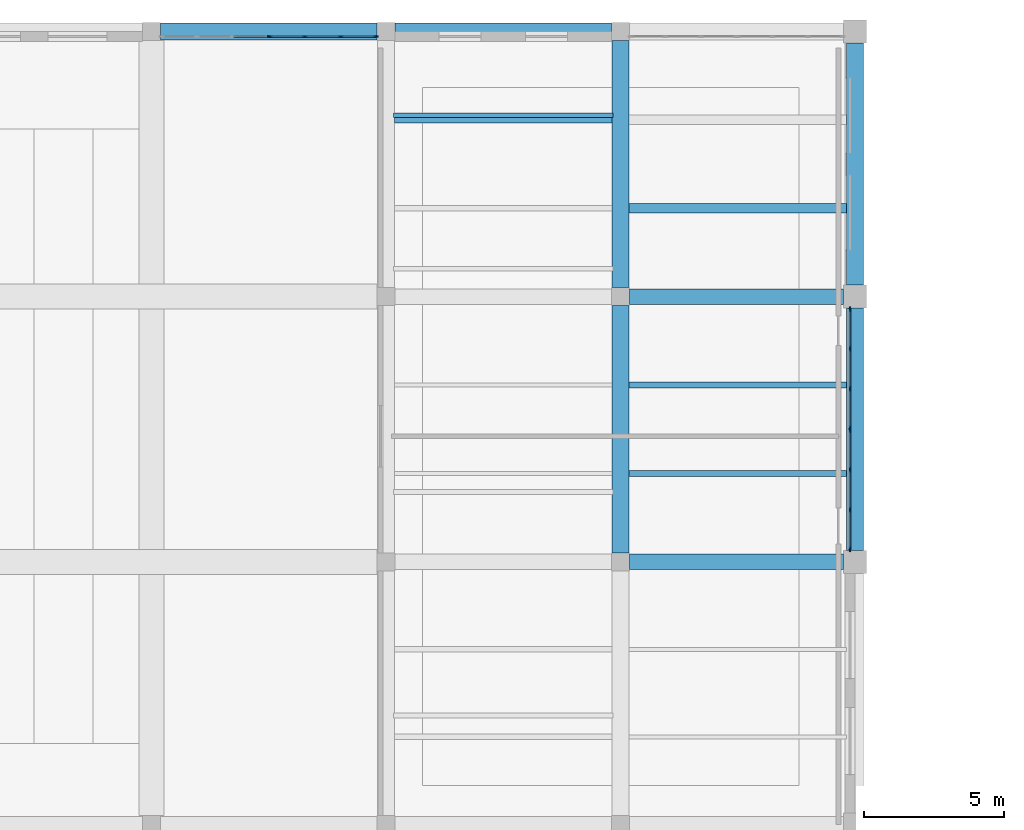
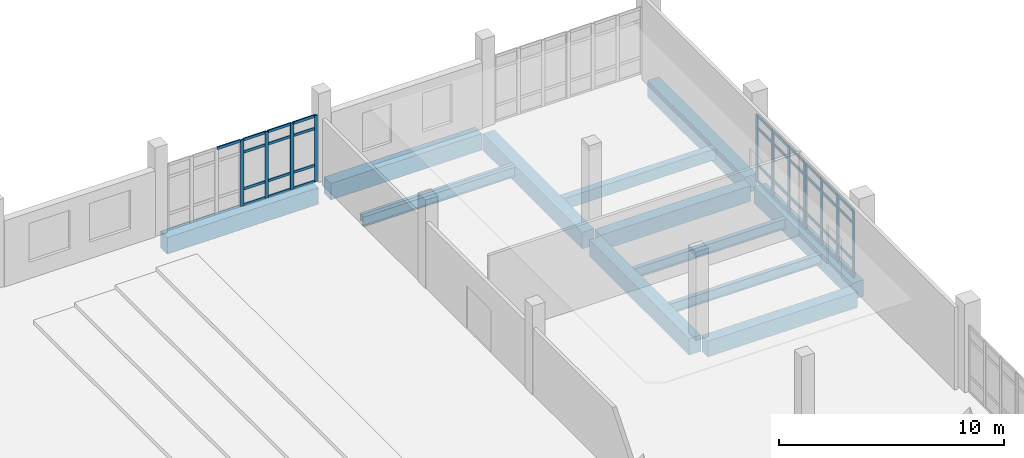
# One storey, part 31 of 90: 49 members, 13 beams, 4 elements without a shape of their own.
"""IFC4 building model written with IfcOpenShell, lengths in metres."""

import ifcopenshell
import ifcopenshell.guid

model = None  # the IFC model being written
_history = None  # IfcOwnerHistory: only IFC2X3 demands one
_inside = {}  # id of a spatial element -> (the spatial element, [elements in it])
_under = {}  # id of a project, library or spatial element -> (it, [spatial elements below it])
_declared = {}  # id of a project -> (the project, [libraries it declares])
_typed = {}  # id of a type object -> (the type object, [elements of that type])
_made_of = {}  # id of a material, layer set ... -> (it, [elements and type objects made of it])


def new_model(schema):
    """Start an empty IFC model of exactly this schema.

    Asked for "IFC4X3", IfcOpenShell would pick the latest addendum, in which some entities
    have other attributes; the version numbers below select the first issue.
    IFC2X3 requires an IfcOwnerHistory on every rooted entity: one is made here for all.
    """
    global model, _history
    if schema == "IFC4X3":
        model = ifcopenshell.file(schema_version=(4, 3, 0, 0))
    else:
        model = ifcopenshell.file(schema=schema)
    _inside.clear()
    _under.clear()
    _declared.clear()
    _typed.clear()
    _made_of.clear()
    _history = None
    if model.schema == "IFC2X3":
        org = make("IfcOrganization", Name="unknown")
        user = make(
            "IfcPersonAndOrganization",
            ThePerson=make("IfcPerson", FamilyName="unknown"),
            TheOrganization=org,
        )
        app = make(
            "IfcApplication",
            ApplicationDeveloper=org,
            Version="unknown",
            ApplicationFullName="unknown",
            ApplicationIdentifier="unknown",
        )
        _history = make(
            "IfcOwnerHistory",
            OwningUser=user,
            OwningApplication=app,
            ChangeAction="ADDED",
            CreationDate=0,
        )
    return model


def make(cls, **values):
    """One entity of the class cls with the attributes given. An attribute that is None is left unset."""
    return model.create_entity(
        cls, **{name: value for name, value in values.items() if value is not None}
    )


def rooted(cls, **values):
    """An entity with a GlobalId (a new one), such as an element, a storey or a relation."""
    return make(cls, GlobalId=ifcopenshell.guid.new(), OwnerHistory=_history, **values)


def si_unit(unit_type, name, prefix=None):
    """IfcSIUnit, for example si_unit("LENGTHUNIT", "METRE", prefix="MILLI")."""
    return make("IfcSIUnit", UnitType=unit_type, Prefix=prefix, Name=name)


def assignment(units):
    """IfcUnitAssignment: the units of a project."""
    return None if units is None else make("IfcUnitAssignment", Units=units)


def point(xyz):
    """IfcCartesianPoint."""
    return None if xyz is None else make("IfcCartesianPoint", Coordinates=xyz)


def direction(xyz):
    """IfcDirection."""
    return None if xyz is None else make("IfcDirection", DirectionRatios=xyz)


def frame(location, z_axis=None, x_axis=None):
    """IfcAxis2Placement3D, a coordinate frame: its origin and axes. An axis left out is left unset."""
    return make(
        "IfcAxis2Placement3D",
        Location=point(location),
        Axis=direction(z_axis),
        RefDirection=direction(x_axis),
    )


def frame_2d(location, x_axis=None):
    """IfcAxis2Placement2D, a coordinate frame in the plane: its origin and x axis."""
    return make(
        "IfcAxis2Placement2D", Location=point(location), RefDirection=direction(x_axis)
    )


def origin():
    """The frame at (0, 0, 0) with its axes left unset."""
    return frame((0.0, 0.0, 0.0))


def origin_2d():
    """The frame at (0, 0) in the plane with its x axis left unset."""
    return frame_2d((0.0, 0.0))


def place(relative_to, where):
    """IfcLocalPlacement: puts the frame where relative to a parent placement (None: the world)."""
    return make(
        "IfcLocalPlacement", PlacementRelTo=relative_to, RelativePlacement=where
    )


def context(
    kind, dimensions, precision=None, world=None, true_north=None, identifier=None
):
    """IfcGeometricRepresentationContext, for example the 3D "Model" context."""
    return make(
        "IfcGeometricRepresentationContext",
        ContextIdentifier=identifier,
        ContextType=kind,
        CoordinateSpaceDimension=dimensions,
        Precision=precision,
        WorldCoordinateSystem=world,
        TrueNorth=true_north,
    )


def subcontext(parent, identifier, kind, view, scale=None):
    """IfcGeometricRepresentationSubContext, for example "Body" below "Model"."""
    return make(
        "IfcGeometricRepresentationSubContext",
        ContextIdentifier=identifier,
        ContextType=kind,
        ParentContext=parent,
        TargetScale=scale,
        TargetView=view,
    )


def project(units=None, contexts=None):
    """IfcProject with its units and contexts."""
    return rooted(
        "IfcProject",
        Name="project",
        RepresentationContexts=contexts,
        UnitsInContext=assignment(units),
    )


def spatial(cls, under=None, at=None, **own):
    """A site, building, storey or space (cls), placed at a placement, below another one or the project."""
    s = rooted(cls, ObjectPlacement=at, **own)
    if under is not None:
        _under.setdefault(under.id(), (under, []))[1].append(s)
    return s


def profile(cls, at=None, kind="AREA", **sizes):
    """A parametric profile (cls). Its sizes go by their IFC names, for example OverallWidth=200.0."""
    return make(cls, ProfileType=kind, Position=at, **sizes)


def rectangle(**sizes):
    """IfcRectangleProfileDef."""
    return profile("IfcRectangleProfileDef", **sizes)


def i_section(**sizes):
    """IfcIShapeProfileDef."""
    return profile("IfcIShapeProfileDef", **sizes)


def extrude(swept, where, along, depth):
    """IfcExtrudedAreaSolid: the profile swept, set in the frame where, extruded along a direction by depth."""
    return make(
        "IfcExtrudedAreaSolid",
        SweptArea=swept,
        Position=where,
        ExtrudedDirection=direction(along),
        Depth=depth,
    )


def shape(context_of_items, identifier, shape_type, items):
    """IfcShapeRepresentation: the items that make up one representation, for example the "Body"."""
    return make(
        "IfcShapeRepresentation",
        ContextOfItems=context_of_items,
        RepresentationIdentifier=identifier,
        RepresentationType=shape_type,
        Items=items,
    )


def material(Name=None, Category=None):
    """IfcMaterial."""
    return make("IfcMaterial", Name=Name, Category=Category)


def layer(
    of_material, thickness, ventilated=None, Name=None, Category=None, Priority=None
):
    """IfcMaterialLayer: one layer of a wall or slab, of a material (None: an air gap)."""
    return make(
        "IfcMaterialLayer",
        Material=of_material,
        LayerThickness=thickness,
        IsVentilated=ventilated,
        Name=Name,
        Category=Category,
        Priority=Priority,
    )


def layer_set(layers, Name=None):
    """IfcMaterialLayerSet."""
    return make("IfcMaterialLayerSet", MaterialLayers=layers, LayerSetName=Name)


def material_profile(
    of_material, cross_section, Name=None, Category=None, Priority=None
):
    """IfcMaterialProfile: a cross section and its material."""
    return make(
        "IfcMaterialProfile",
        Name=Name,
        Material=of_material,
        Profile=cross_section,
        Priority=Priority,
        Category=Category,
    )


def profile_set(profiles, Name=None, composite=None):
    """IfcMaterialProfileSet."""
    return make(
        "IfcMaterialProfileSet",
        Name=Name,
        MaterialProfiles=profiles,
        CompositeProfile=composite,
    )


def made_of(thing, what):
    """Note that an element or type object is made of a material, layer set ...; save() writes the relation."""
    if what is not None:
        _made_of.setdefault(what.id(), (what, []))[1].append(thing)
    return thing


def type_object(cls, material=None, **own):
    """A type object (cls), such as IfcWallType, which elements share."""
    return made_of(rooted(cls, **own), material)


def element(
    cls,
    number,
    at=None,
    inside=None,
    cuts=None,
    type_object=None,
    material=None,
    context=None,
    identifier="Body",
    shape_type=None,
    held_by="IfcProductDefinitionShape",
    body=None,
    shapes=None,
    **own,
):
    """One element of the class cls, such as IfcWall. Its Tag is "e" and its number.

    at: its placement. inside: the storey or other place that contains it. cuts: it is an
    opening in that element (IfcRelVoidsElement). A single representation is given by context,
    identifier, shape_type and body (its items); several are given by shapes. held_by: the class
    of the entity that holds the representations. save() writes the other relations.
    """
    e = rooted(cls, Tag="e%d" % number, ObjectPlacement=at, **own)
    if body is not None:
        shapes = [shape(context, identifier, shape_type, body)]
    if shapes is not None:
        e.Representation = make(held_by, Representations=shapes)
    if inside is not None:
        _inside.setdefault(inside.id(), (inside, []))[1].append(e)
    if cuts is not None:
        rooted(
            "IfcRelVoidsElement", RelatingBuildingElement=cuts, RelatedOpeningElement=e
        )
    if type_object is not None:
        _typed.setdefault(type_object.id(), (type_object, []))[1].append(e)
    return made_of(e, material)


def aggregate(whole, parts):
    """IfcRelAggregates: a whole, such as a stair, and the parts it consists of."""
    return rooted("IfcRelAggregates", RelatingObject=whole, RelatedObjects=parts)


def save(model, path):
    """Write the relations noted so far, then the file.

    IfcRelAggregates (storeys below a building ...), IfcRelContainedInSpatialStructure (elements
    in a storey), IfcRelDefinesByType, IfcRelAssociatesMaterial and IfcRelDeclares: one each for
    every whole, place, type object, material and project.
    """
    for whole, parts in _under.values():
        aggregate(whole, parts)
    for where, things in _inside.values():
        rooted(
            "IfcRelContainedInSpatialStructure",
            RelatedElements=things,
            RelatingStructure=where,
        )
    for kind, things in _typed.values():
        rooted("IfcRelDefinesByType", RelatedObjects=things, RelatingType=kind)
    for what, things in _made_of.values():
        rooted("IfcRelAssociatesMaterial", RelatedObjects=things, RelatingMaterial=what)
    for by, libraries in _declared.values():
        rooted("IfcRelDeclares", RelatingContext=by, RelatedDefinitions=libraries)
    model.write(path)


model = new_model("IFC4")

# Units and contexts
model_context = context("Model", 3, precision=1e-05, world=origin(), true_north=direction((0.0, 1.0)))
body_context = subcontext(model_context, "Body", "Model", "MODEL_VIEW")
ifc_project = project(units=[si_unit("LENGTHUNIT", "METRE"), si_unit("AREAUNIT", "SQUARE_METRE"), si_unit("VOLUMEUNIT", "CUBIC_METRE"), si_unit("PLANEANGLEUNIT", "RADIAN"), si_unit("MASSUNIT", "GRAM", prefix="KILO")], contexts=[model_context])

# Site, building, storey
site_placement = place(None, origin())
site = spatial("IfcSite", under=ifc_project, at=site_placement, CompositionType="ELEMENT")
building_placement = place(site_placement, origin())
building = spatial("IfcBuilding", under=site, at=building_placement, Name="Kelarvand Opera House", CompositionType="ELEMENT")
storey_placement = place(building_placement, frame((0.0, 0.0, 5.39990234375)))
storey = spatial("IfcBuildingStorey", under=building, at=storey_placement, Name="L01", CompositionType="ELEMENT", Elevation=5.39990234375)

# Curtain wall, members
ifc_material_1 = material(Name="Thermally broken aluminium and low-E glazing", Category="aluminium")
ifc_layer_1 = layer(ifc_material_1, 0.179931640625, Name="Thermally broken aluminium and low-E glazing", Category="aluminium")
ifc_layer_set_1 = layer_set([ifc_layer_1], Name="Thermally broken aluminium and low-E glazing")
curtain_wall_type_1 = type_object("IfcCurtainWallType", Name="Unitised Low-E Curtain Wall 4326x3600 Mod 1350 CWF-15", PredefinedType="USERDEFINED", material=ifc_layer_set_1)
curtain_wall_1_placement = place(storey_placement, origin())
curtain_wall_1 = element("IfcCurtainWall", 1, at=curtain_wall_1_placement, inside=storey, type_object=curtain_wall_type_1, Name="V3 L01 Curtain Wall CWF-15 (47)", ObjectType="UNITISED CURTAIN WALL", PredefinedType="USERDEFINED")
ifc_material_2 = material(Name="Thermally broken anodised aluminium", Category="aluminium")
ifc_material_profile_1 = material_profile(ifc_material_2, rectangle(XDim=0.06494140625, YDim=0.179931640625, at=origin_2d()), Name="ALU MULLION 65x180", Category="aluminium")
ifc_profile_set_1 = profile_set([ifc_material_profile_1], Name="Thermally broken anodised aluminium")
member_type_1 = type_object("IfcMemberType", Name="Curtain Wall Mullion 65x180 Aluminium", PredefinedType="MULLION", material=ifc_profile_set_1)
member_1_placement = place(storey_placement, frame((50.820068359375, 115.047607421875, 0.0), z_axis=(0.0, 0.0, 1.0), x_axis=(1.0, 0.0, 0.0)))
member_1 = element("IfcMember", 2, at=member_1_placement, type_object=member_type_1, Name="CWF-15 mullion 1", PredefinedType="MULLION", context=body_context, shape_type="SweptSolid", body=[
    extrude(rectangle(XDim=0.06494140625, YDim=0.179931640625, at=origin_2d()), origin(), (0.0, 0.0, 1.0), 3.60009765625),
])
member_2_placement = place(storey_placement, frame((50.820068359375, 113.637939453125, 0.0), z_axis=(0.0, 0.0, 1.0), x_axis=(1.0, 0.0, 0.0)))
member_2 = element("IfcMember", 3, at=member_2_placement, type_object=member_type_1, Name="CWF-15 mullion 2", PredefinedType="MULLION", context=body_context, shape_type="SweptSolid", body=[
    extrude(rectangle(XDim=0.06494140625, YDim=0.179931640625, at=origin_2d()), origin(), (0.0, 0.0, 1.0), 3.60009765625),
])
member_3_placement = place(storey_placement, frame((50.820068359375, 112.196044921875, 0.0), z_axis=(0.0, 0.0, 1.0), x_axis=(1.0, 0.0, 0.0)))
member_3 = element("IfcMember", 4, at=member_3_placement, type_object=member_type_1, Name="CWF-15 mullion 3", PredefinedType="MULLION", context=body_context, shape_type="SweptSolid", body=[
    extrude(rectangle(XDim=0.06494140625, YDim=0.179931640625, at=origin_2d()), origin(), (0.0, 0.0, 1.0), 3.60009765625),
])
member_4_placement = place(storey_placement, frame((50.820068359375, 110.78662109375, 0.0), z_axis=(0.0, 0.0, 1.0), x_axis=(1.0, 0.0, 0.0)))
member_4 = element("IfcMember", 5, at=member_4_placement, type_object=member_type_1, Name="CWF-15 mullion 4", PredefinedType="MULLION", context=body_context, shape_type="SweptSolid", body=[
    extrude(rectangle(XDim=0.06494140625, YDim=0.179931640625, at=origin_2d()), origin(), (0.0, 0.0, 1.0), 3.60009765625),
])

curtain_wall_2_placement = place(storey_placement, origin())
curtain_wall_2 = element("IfcCurtainWall", 6, at=curtain_wall_2_placement, inside=storey, type_object=curtain_wall_type_1, Name="V3 L01 Curtain Wall CWF-15 (48)", ObjectType="UNITISED CURTAIN WALL", PredefinedType="USERDEFINED")
member_5_placement = place(storey_placement, frame((50.820068359375, 110.717529296875, 0.0), z_axis=(0.0, 0.0, 1.0), x_axis=(1.0, 0.0, 0.0)))
member_5 = element("IfcMember", 7, at=member_5_placement, type_object=member_type_1, Name="CWF-15 mullion 1", PredefinedType="MULLION", context=body_context, shape_type="SweptSolid", body=[
    extrude(rectangle(XDim=0.06494140625, YDim=0.179931640625, at=origin_2d()), origin(), (0.0, 0.0, 1.0), 3.60009765625),
])
member_6_placement = place(storey_placement, frame((50.820068359375, 109.306640625, 0.0), z_axis=(0.0, 0.0, 1.0), x_axis=(1.0, 0.0, 0.0)))
member_6 = element("IfcMember", 8, at=member_6_placement, type_object=member_type_1, Name="CWF-15 mullion 2", PredefinedType="MULLION", context=body_context, shape_type="SweptSolid", body=[
    extrude(rectangle(XDim=0.06494140625, YDim=0.179931640625, at=origin_2d()), origin(), (0.0, 0.0, 1.0), 3.60009765625),
])
member_7_placement = place(storey_placement, frame((50.820068359375, 107.86328125, 0.0), z_axis=(0.0, 0.0, 1.0), x_axis=(1.0, 0.0, 0.0)))
member_7 = element("IfcMember", 9, at=member_7_placement, type_object=member_type_1, Name="CWF-15 mullion 3", PredefinedType="MULLION", context=body_context, shape_type="SweptSolid", body=[
    extrude(rectangle(XDim=0.06494140625, YDim=0.179931640625, at=origin_2d()), origin(), (0.0, 0.0, 1.0), 3.60009765625),
])
member_8_placement = place(storey_placement, frame((50.820068359375, 106.452392578125, 0.0), z_axis=(0.0, 0.0, 1.0), x_axis=(1.0, 0.0, 0.0)))
member_8 = element("IfcMember", 10, at=member_8_placement, type_object=member_type_1, Name="CWF-15 mullion 4", PredefinedType="MULLION", context=body_context, shape_type="SweptSolid", body=[
    extrude(rectangle(XDim=0.06494140625, YDim=0.179931640625, at=origin_2d()), origin(), (0.0, 0.0, 1.0), 3.60009765625),
])

ifc_layer_2 = layer(ifc_material_1, 0.179931640625, Name="Thermally broken aluminium and low-E glazing", Category="aluminium")
ifc_layer_set_2 = layer_set([ifc_layer_2], Name="Thermally broken aluminium and low-E glazing")
curtain_wall_type_2 = type_object("IfcCurtainWallType", Name="Unitised Low-E Curtain Wall 3861x3600 Mod 1350 CWF-17", PredefinedType="USERDEFINED", material=ifc_layer_set_2)
curtain_wall_3_placement = place(storey_placement, origin())
curtain_wall_3 = element("IfcCurtainWall", 11, at=curtain_wall_3_placement, inside=storey, type_object=curtain_wall_type_2, Name="V3 L01 Curtain Wall CWF-17 (54)", ObjectType="UNITISED CURTAIN WALL", PredefinedType="USERDEFINED")
member_9_placement = place(storey_placement, frame((30.032470703125, 124.820068359375, 0.0), z_axis=(0.0, 0.0, 1.0), x_axis=(0.0, 1.0, 0.0)))
member_9 = element("IfcMember", 12, at=member_9_placement, type_object=member_type_1, Name="CWF-17 mullion 1", PredefinedType="MULLION", context=body_context, shape_type="SweptSolid", body=[
    extrude(rectangle(XDim=0.06494140625, YDim=0.179931640625, at=origin_2d()), origin(), (0.0, 0.0, 1.0), 3.60009765625),
])
member_10_placement = place(storey_placement, frame((31.288330078125, 124.820068359375, 0.0), z_axis=(0.0, 0.0, 1.0), x_axis=(0.0, 1.0, 0.0)))
member_10 = element("IfcMember", 13, at=member_10_placement, type_object=member_type_1, Name="CWF-17 mullion 2", PredefinedType="MULLION", context=body_context, shape_type="SweptSolid", body=[
    extrude(rectangle(XDim=0.06494140625, YDim=0.179931640625, at=origin_2d()), origin(), (0.0, 0.0, 1.0), 3.60009765625),
])
member_11_placement = place(storey_placement, frame((32.57666015625, 124.820068359375, 0.0), z_axis=(0.0, 0.0, 1.0), x_axis=(0.0, 1.0, 0.0)))
member_11 = element("IfcMember", 14, at=member_11_placement, type_object=member_type_1, Name="CWF-17 mullion 3", PredefinedType="MULLION", context=body_context, shape_type="SweptSolid", body=[
    extrude(rectangle(XDim=0.06494140625, YDim=0.179931640625, at=origin_2d()), origin(), (0.0, 0.0, 1.0), 3.60009765625),
])
member_12_placement = place(storey_placement, frame((33.83251953125, 124.820068359375, 0.0), z_axis=(0.0, 0.0, 1.0), x_axis=(0.0, 1.0, 0.0)))
member_12 = element("IfcMember", 15, at=member_12_placement, type_object=member_type_1, Name="CWF-17 mullion 4", PredefinedType="MULLION", context=body_context, shape_type="SweptSolid", body=[
    extrude(rectangle(XDim=0.06494140625, YDim=0.179931640625, at=origin_2d()), origin(), (0.0, 0.0, 1.0), 3.60009765625),
])

# Member
ifc_material_profile_2 = material_profile(ifc_material_2, rectangle(XDim=0.06494140625, YDim=0.139892578125, at=origin_2d()), Name="ALU TRANSOM 65x140", Category="aluminium")
ifc_profile_set_2 = profile_set([ifc_material_profile_2], Name="Thermally broken anodised aluminium")
member_type_2 = type_object("IfcMemberType", Name="Curtain Wall Transom 65x140 Aluminium", PredefinedType="USERDEFINED", material=ifc_profile_set_2)
member_13_placement = place(storey_placement, frame((50.820068359375, 115.014892578125, 0.03271484375), z_axis=(0.0, -1.0, 0.0), x_axis=(1.0, 0.0, 0.0)))
member_13 = element("IfcMember", 16, at=member_13_placement, type_object=member_type_2, Name="CWF-15 transom 1.1", ObjectType="TRANSOM", PredefinedType="USERDEFINED", context=body_context, shape_type="SweptSolid", body=[
    extrude(rectangle(XDim=0.06494140625, YDim=0.139892578125, at=origin_2d()), origin(), (0.0, 0.0, 1.0), 1.344482421875),
])

member_14_placement = place(storey_placement, frame((50.820068359375, 115.014892578125, 0.900146484375), z_axis=(0.0, -1.0, 0.0), x_axis=(1.0, 0.0, 0.0)))
member_14 = element("IfcMember", 17, at=member_14_placement, type_object=member_type_2, Name="CWF-15 transom 1.2", ObjectType="TRANSOM", PredefinedType="USERDEFINED", context=body_context, shape_type="SweptSolid", body=[
    extrude(rectangle(XDim=0.06494140625, YDim=0.139892578125, at=origin_2d()), origin(), (0.0, 0.0, 1.0), 1.344482421875),
])

member_15_placement = place(storey_placement, frame((50.820068359375, 115.014892578125, 2.900146484375), z_axis=(0.0, -1.0, 0.0), x_axis=(1.0, 0.0, 0.0)))
member_15 = element("IfcMember", 18, at=member_15_placement, type_object=member_type_2, Name="CWF-15 transom 1.3", ObjectType="TRANSOM", PredefinedType="USERDEFINED", context=body_context, shape_type="SweptSolid", body=[
    extrude(rectangle(XDim=0.06494140625, YDim=0.139892578125, at=origin_2d()), origin(), (0.0, 0.0, 1.0), 1.344482421875),
])

member_16_placement = place(storey_placement, frame((50.820068359375, 115.014892578125, 3.567626953125), z_axis=(0.0, -1.0, 0.0), x_axis=(1.0, 0.0, 0.0)))
member_16 = element("IfcMember", 19, at=member_16_placement, type_object=member_type_2, Name="CWF-15 transom 1.4", ObjectType="TRANSOM", PredefinedType="USERDEFINED", context=body_context, shape_type="SweptSolid", body=[
    extrude(rectangle(XDim=0.06494140625, YDim=0.139892578125, at=origin_2d()), origin(), (0.0, 0.0, 1.0), 1.344482421875),
])

member_17_placement = place(storey_placement, frame((50.820068359375, 113.60546875, 0.03271484375), z_axis=(0.0, -1.0, 0.0), x_axis=(1.0, 0.0, 0.0)))
member_17 = element("IfcMember", 20, at=member_17_placement, type_object=member_type_2, Name="CWF-15 transom 2.1", ObjectType="TRANSOM", PredefinedType="USERDEFINED", context=body_context, shape_type="SweptSolid", body=[
    extrude(rectangle(XDim=0.06494140625, YDim=0.139892578125, at=origin_2d()), origin(), (0.0, 0.0, 1.0), 1.376953125),
])

member_18_placement = place(storey_placement, frame((50.820068359375, 113.60546875, 0.900146484375), z_axis=(0.0, -1.0, 0.0), x_axis=(1.0, 0.0, 0.0)))
member_18 = element("IfcMember", 21, at=member_18_placement, type_object=member_type_2, Name="CWF-15 transom 2.2", ObjectType="TRANSOM", PredefinedType="USERDEFINED", context=body_context, shape_type="SweptSolid", body=[
    extrude(rectangle(XDim=0.06494140625, YDim=0.139892578125, at=origin_2d()), origin(), (0.0, 0.0, 1.0), 1.376953125),
])

member_19_placement = place(storey_placement, frame((50.820068359375, 113.60546875, 2.900146484375), z_axis=(0.0, -1.0, 0.0), x_axis=(1.0, 0.0, 0.0)))
member_19 = element("IfcMember", 22, at=member_19_placement, type_object=member_type_2, Name="CWF-15 transom 2.3", ObjectType="TRANSOM", PredefinedType="USERDEFINED", context=body_context, shape_type="SweptSolid", body=[
    extrude(rectangle(XDim=0.06494140625, YDim=0.139892578125, at=origin_2d()), origin(), (0.0, 0.0, 1.0), 1.376953125),
])

member_20_placement = place(storey_placement, frame((50.820068359375, 113.60546875, 3.567626953125), z_axis=(0.0, -1.0, 0.0), x_axis=(1.0, 0.0, 0.0)))
member_20 = element("IfcMember", 23, at=member_20_placement, type_object=member_type_2, Name="CWF-15 transom 2.4", ObjectType="TRANSOM", PredefinedType="USERDEFINED", context=body_context, shape_type="SweptSolid", body=[
    extrude(rectangle(XDim=0.06494140625, YDim=0.139892578125, at=origin_2d()), origin(), (0.0, 0.0, 1.0), 1.376953125),
])

member_21_placement = place(storey_placement, frame((50.820068359375, 112.16357421875, 0.03271484375), z_axis=(0.0, -1.0, 0.0), x_axis=(1.0, 0.0, 0.0)))
member_21 = element("IfcMember", 24, at=member_21_placement, type_object=member_type_2, Name="CWF-15 transom 3.1", ObjectType="TRANSOM", PredefinedType="USERDEFINED", context=body_context, shape_type="SweptSolid", body=[
    extrude(rectangle(XDim=0.06494140625, YDim=0.139892578125, at=origin_2d()), origin(), (0.0, 0.0, 1.0), 1.344482421875),
])

member_22_placement = place(storey_placement, frame((50.820068359375, 112.16357421875, 0.900146484375), z_axis=(0.0, -1.0, 0.0), x_axis=(1.0, 0.0, 0.0)))
member_22 = element("IfcMember", 25, at=member_22_placement, type_object=member_type_2, Name="CWF-15 transom 3.2", ObjectType="TRANSOM", PredefinedType="USERDEFINED", context=body_context, shape_type="SweptSolid", body=[
    extrude(rectangle(XDim=0.06494140625, YDim=0.139892578125, at=origin_2d()), origin(), (0.0, 0.0, 1.0), 1.344482421875),
])

member_23_placement = place(storey_placement, frame((50.820068359375, 112.16357421875, 2.900146484375), z_axis=(0.0, -1.0, 0.0), x_axis=(1.0, 0.0, 0.0)))
member_23 = element("IfcMember", 26, at=member_23_placement, type_object=member_type_2, Name="CWF-15 transom 3.3", ObjectType="TRANSOM", PredefinedType="USERDEFINED", context=body_context, shape_type="SweptSolid", body=[
    extrude(rectangle(XDim=0.06494140625, YDim=0.139892578125, at=origin_2d()), origin(), (0.0, 0.0, 1.0), 1.344482421875),
])

member_24_placement = place(storey_placement, frame((50.820068359375, 112.16357421875, 3.567626953125), z_axis=(0.0, -1.0, 0.0), x_axis=(1.0, 0.0, 0.0)))
member_24 = element("IfcMember", 27, at=member_24_placement, type_object=member_type_2, Name="CWF-15 transom 3.4", ObjectType="TRANSOM", PredefinedType="USERDEFINED", context=body_context, shape_type="SweptSolid", body=[
    extrude(rectangle(XDim=0.06494140625, YDim=0.139892578125, at=origin_2d()), origin(), (0.0, 0.0, 1.0), 1.344482421875),
])

aggregate(curtain_wall_1, [member_1, member_2, member_3, member_4, member_13, member_14, member_15, member_16, member_17, member_18, member_19, member_20, member_21, member_22, member_23, member_24])

member_25_placement = place(storey_placement, frame((50.820068359375, 110.68505859375, 0.03271484375), z_axis=(0.0, -1.0, 0.0), x_axis=(1.0, 0.0, 0.0)))
member_25 = element("IfcMember", 28, at=member_25_placement, type_object=member_type_2, Name="CWF-15 transom 1.1", ObjectType="TRANSOM", PredefinedType="USERDEFINED", context=body_context, shape_type="SweptSolid", body=[
    extrude(rectangle(XDim=0.06494140625, YDim=0.139892578125, at=origin_2d()), origin(), (0.0, 0.0, 1.0), 1.345947265625),
])

member_26_placement = place(storey_placement, frame((50.820068359375, 110.68505859375, 0.900146484375), z_axis=(0.0, -1.0, 0.0), x_axis=(1.0, 0.0, 0.0)))
member_26 = element("IfcMember", 29, at=member_26_placement, type_object=member_type_2, Name="CWF-15 transom 1.2", ObjectType="TRANSOM", PredefinedType="USERDEFINED", context=body_context, shape_type="SweptSolid", body=[
    extrude(rectangle(XDim=0.06494140625, YDim=0.139892578125, at=origin_2d()), origin(), (0.0, 0.0, 1.0), 1.345947265625),
])

member_27_placement = place(storey_placement, frame((50.820068359375, 110.68505859375, 2.900146484375), z_axis=(0.0, -1.0, 0.0), x_axis=(1.0, 0.0, 0.0)))
member_27 = element("IfcMember", 30, at=member_27_placement, type_object=member_type_2, Name="CWF-15 transom 1.3", ObjectType="TRANSOM", PredefinedType="USERDEFINED", context=body_context, shape_type="SweptSolid", body=[
    extrude(rectangle(XDim=0.06494140625, YDim=0.139892578125, at=origin_2d()), origin(), (0.0, 0.0, 1.0), 1.345947265625),
])

member_28_placement = place(storey_placement, frame((50.820068359375, 110.68505859375, 3.567626953125), z_axis=(0.0, -1.0, 0.0), x_axis=(1.0, 0.0, 0.0)))
member_28 = element("IfcMember", 31, at=member_28_placement, type_object=member_type_2, Name="CWF-15 transom 1.4", ObjectType="TRANSOM", PredefinedType="USERDEFINED", context=body_context, shape_type="SweptSolid", body=[
    extrude(rectangle(XDim=0.06494140625, YDim=0.139892578125, at=origin_2d()), origin(), (0.0, 0.0, 1.0), 1.345947265625),
])

member_29_placement = place(storey_placement, frame((50.820068359375, 109.274169921875, 0.03271484375), z_axis=(0.0, -1.0, 0.0), x_axis=(1.0, 0.0, 0.0)))
member_29 = element("IfcMember", 32, at=member_29_placement, type_object=member_type_2, Name="CWF-15 transom 2.1", ObjectType="TRANSOM", PredefinedType="USERDEFINED", context=body_context, shape_type="SweptSolid", body=[
    extrude(rectangle(XDim=0.06494140625, YDim=0.139892578125, at=origin_2d()), origin(), (0.0, 0.0, 1.0), 1.37841796875),
])

member_30_placement = place(storey_placement, frame((50.820068359375, 109.274169921875, 0.900146484375), z_axis=(0.0, -1.0, 0.0), x_axis=(1.0, 0.0, 0.0)))
member_30 = element("IfcMember", 33, at=member_30_placement, type_object=member_type_2, Name="CWF-15 transom 2.2", ObjectType="TRANSOM", PredefinedType="USERDEFINED", context=body_context, shape_type="SweptSolid", body=[
    extrude(rectangle(XDim=0.06494140625, YDim=0.139892578125, at=origin_2d()), origin(), (0.0, 0.0, 1.0), 1.37841796875),
])

member_31_placement = place(storey_placement, frame((50.820068359375, 109.274169921875, 2.900146484375), z_axis=(0.0, -1.0, 0.0), x_axis=(1.0, 0.0, 0.0)))
member_31 = element("IfcMember", 34, at=member_31_placement, type_object=member_type_2, Name="CWF-15 transom 2.3", ObjectType="TRANSOM", PredefinedType="USERDEFINED", context=body_context, shape_type="SweptSolid", body=[
    extrude(rectangle(XDim=0.06494140625, YDim=0.139892578125, at=origin_2d()), origin(), (0.0, 0.0, 1.0), 1.37841796875),
])

member_32_placement = place(storey_placement, frame((50.820068359375, 109.274169921875, 3.567626953125), z_axis=(0.0, -1.0, 0.0), x_axis=(1.0, 0.0, 0.0)))
member_32 = element("IfcMember", 35, at=member_32_placement, type_object=member_type_2, Name="CWF-15 transom 2.4", ObjectType="TRANSOM", PredefinedType="USERDEFINED", context=body_context, shape_type="SweptSolid", body=[
    extrude(rectangle(XDim=0.06494140625, YDim=0.139892578125, at=origin_2d()), origin(), (0.0, 0.0, 1.0), 1.37841796875),
])

member_33_placement = place(storey_placement, frame((50.820068359375, 107.830810546875, 0.03271484375), z_axis=(0.0, -1.0, 0.0), x_axis=(1.0, 0.0, 0.0)))
member_33 = element("IfcMember", 36, at=member_33_placement, type_object=member_type_2, Name="CWF-15 transom 3.1", ObjectType="TRANSOM", PredefinedType="USERDEFINED", context=body_context, shape_type="SweptSolid", body=[
    extrude(rectangle(XDim=0.06494140625, YDim=0.139892578125, at=origin_2d()), origin(), (0.0, 0.0, 1.0), 1.345703125),
])

member_34_placement = place(storey_placement, frame((50.820068359375, 107.830810546875, 0.900146484375), z_axis=(0.0, -1.0, 0.0), x_axis=(1.0, 0.0, 0.0)))
member_34 = element("IfcMember", 37, at=member_34_placement, type_object=member_type_2, Name="CWF-15 transom 3.2", ObjectType="TRANSOM", PredefinedType="USERDEFINED", context=body_context, shape_type="SweptSolid", body=[
    extrude(rectangle(XDim=0.06494140625, YDim=0.139892578125, at=origin_2d()), origin(), (0.0, 0.0, 1.0), 1.345703125),
])

member_35_placement = place(storey_placement, frame((50.820068359375, 107.830810546875, 2.900146484375), z_axis=(0.0, -1.0, 0.0), x_axis=(1.0, 0.0, 0.0)))
member_35 = element("IfcMember", 38, at=member_35_placement, type_object=member_type_2, Name="CWF-15 transom 3.3", ObjectType="TRANSOM", PredefinedType="USERDEFINED", context=body_context, shape_type="SweptSolid", body=[
    extrude(rectangle(XDim=0.06494140625, YDim=0.139892578125, at=origin_2d()), origin(), (0.0, 0.0, 1.0), 1.345703125),
])

member_36_placement = place(storey_placement, frame((50.820068359375, 107.830810546875, 3.567626953125), z_axis=(0.0, -1.0, 0.0), x_axis=(1.0, 0.0, 0.0)))
member_36 = element("IfcMember", 39, at=member_36_placement, type_object=member_type_2, Name="CWF-15 transom 3.4", ObjectType="TRANSOM", PredefinedType="USERDEFINED", context=body_context, shape_type="SweptSolid", body=[
    extrude(rectangle(XDim=0.06494140625, YDim=0.139892578125, at=origin_2d()), origin(), (0.0, 0.0, 1.0), 1.345703125),
])

aggregate(curtain_wall_2, [member_5, member_6, member_7, member_8, member_25, member_26, member_27, member_28, member_29, member_30, member_31, member_32, member_33, member_34, member_35, member_36])

# Curtain wall, member
curtain_wall_4_placement = place(storey_placement, origin())
curtain_wall_4 = element("IfcCurtainWall", 40, at=curtain_wall_4_placement, inside=storey, type_object=curtain_wall_type_2, Name="V3 L01 Curtain Wall CWF-17 (53)", ObjectType="UNITISED CURTAIN WALL", PredefinedType="USERDEFINED")
member_37_placement = place(storey_placement, frame((28.741455078125, 124.820068359375, 3.567626953125), z_axis=(1.0, 0.0, 0.0), x_axis=(0.0, 1.0, 0.0)))
member_37 = element("IfcMember", 41, at=member_37_placement, type_object=member_type_2, Name="CWF-17 transom 3.4", ObjectType="TRANSOM", PredefinedType="USERDEFINED", context=body_context, shape_type="SweptSolid", body=[
    extrude(rectangle(XDim=0.06494140625, YDim=0.139892578125, at=origin_2d()), origin(), (0.0, 0.0, 1.0), 1.189453125),
])
aggregate(curtain_wall_4, [member_37])

# Member
member_38_placement = place(storey_placement, frame((30.06494140625, 124.820068359375, 0.03271484375), z_axis=(1.0, 0.0, 0.0), x_axis=(0.0, 1.0, 0.0)))
member_38 = element("IfcMember", 42, at=member_38_placement, type_object=member_type_2, Name="CWF-17 transom 1.1", ObjectType="TRANSOM", PredefinedType="USERDEFINED", context=body_context, shape_type="SweptSolid", body=[
    extrude(rectangle(XDim=0.06494140625, YDim=0.139892578125, at=origin_2d()), origin(), (0.0, 0.0, 1.0), 1.19091796875),
])

member_39_placement = place(storey_placement, frame((30.06494140625, 124.820068359375, 0.900146484375), z_axis=(1.0, 0.0, 0.0), x_axis=(0.0, 1.0, 0.0)))
member_39 = element("IfcMember", 43, at=member_39_placement, type_object=member_type_2, Name="CWF-17 transom 1.2", ObjectType="TRANSOM", PredefinedType="USERDEFINED", context=body_context, shape_type="SweptSolid", body=[
    extrude(rectangle(XDim=0.06494140625, YDim=0.139892578125, at=origin_2d()), origin(), (0.0, 0.0, 1.0), 1.19091796875),
])

member_40_placement = place(storey_placement, frame((30.06494140625, 124.820068359375, 2.900146484375), z_axis=(1.0, 0.0, 0.0), x_axis=(0.0, 1.0, 0.0)))
member_40 = element("IfcMember", 44, at=member_40_placement, type_object=member_type_2, Name="CWF-17 transom 1.3", ObjectType="TRANSOM", PredefinedType="USERDEFINED", context=body_context, shape_type="SweptSolid", body=[
    extrude(rectangle(XDim=0.06494140625, YDim=0.139892578125, at=origin_2d()), origin(), (0.0, 0.0, 1.0), 1.19091796875),
])

member_41_placement = place(storey_placement, frame((30.06494140625, 124.820068359375, 3.567626953125), z_axis=(1.0, 0.0, 0.0), x_axis=(0.0, 1.0, 0.0)))
member_41 = element("IfcMember", 45, at=member_41_placement, type_object=member_type_2, Name="CWF-17 transom 1.4", ObjectType="TRANSOM", PredefinedType="USERDEFINED", context=body_context, shape_type="SweptSolid", body=[
    extrude(rectangle(XDim=0.06494140625, YDim=0.139892578125, at=origin_2d()), origin(), (0.0, 0.0, 1.0), 1.19091796875),
])

member_42_placement = place(storey_placement, frame((31.32080078125, 124.820068359375, 0.03271484375), z_axis=(1.0, 0.0, 0.0), x_axis=(0.0, 1.0, 0.0)))
member_42 = element("IfcMember", 46, at=member_42_placement, type_object=member_type_2, Name="CWF-17 transom 2.1", ObjectType="TRANSOM", PredefinedType="USERDEFINED", context=body_context, shape_type="SweptSolid", body=[
    extrude(rectangle(XDim=0.06494140625, YDim=0.139892578125, at=origin_2d()), origin(), (0.0, 0.0, 1.0), 1.223388671875),
])

member_43_placement = place(storey_placement, frame((31.32080078125, 124.820068359375, 0.900146484375), z_axis=(1.0, 0.0, 0.0), x_axis=(0.0, 1.0, 0.0)))
member_43 = element("IfcMember", 47, at=member_43_placement, type_object=member_type_2, Name="CWF-17 transom 2.2", ObjectType="TRANSOM", PredefinedType="USERDEFINED", context=body_context, shape_type="SweptSolid", body=[
    extrude(rectangle(XDim=0.06494140625, YDim=0.139892578125, at=origin_2d()), origin(), (0.0, 0.0, 1.0), 1.223388671875),
])

member_44_placement = place(storey_placement, frame((31.32080078125, 124.820068359375, 2.900146484375), z_axis=(1.0, 0.0, 0.0), x_axis=(0.0, 1.0, 0.0)))
member_44 = element("IfcMember", 48, at=member_44_placement, type_object=member_type_2, Name="CWF-17 transom 2.3", ObjectType="TRANSOM", PredefinedType="USERDEFINED", context=body_context, shape_type="SweptSolid", body=[
    extrude(rectangle(XDim=0.06494140625, YDim=0.139892578125, at=origin_2d()), origin(), (0.0, 0.0, 1.0), 1.223388671875),
])

member_45_placement = place(storey_placement, frame((31.32080078125, 124.820068359375, 3.567626953125), z_axis=(1.0, 0.0, 0.0), x_axis=(0.0, 1.0, 0.0)))
member_45 = element("IfcMember", 49, at=member_45_placement, type_object=member_type_2, Name="CWF-17 transom 2.4", ObjectType="TRANSOM", PredefinedType="USERDEFINED", context=body_context, shape_type="SweptSolid", body=[
    extrude(rectangle(XDim=0.06494140625, YDim=0.139892578125, at=origin_2d()), origin(), (0.0, 0.0, 1.0), 1.223388671875),
])

member_46_placement = place(storey_placement, frame((32.609130859375, 124.820068359375, 0.03271484375), z_axis=(1.0, 0.0, 0.0), x_axis=(0.0, 1.0, 0.0)))
member_46 = element("IfcMember", 50, at=member_46_placement, type_object=member_type_2, Name="CWF-17 transom 3.1", ObjectType="TRANSOM", PredefinedType="USERDEFINED", context=body_context, shape_type="SweptSolid", body=[
    extrude(rectangle(XDim=0.06494140625, YDim=0.139892578125, at=origin_2d()), origin(), (0.0, 0.0, 1.0), 1.19091796875),
])

member_47_placement = place(storey_placement, frame((32.609130859375, 124.820068359375, 0.900146484375), z_axis=(1.0, 0.0, 0.0), x_axis=(0.0, 1.0, 0.0)))
member_47 = element("IfcMember", 51, at=member_47_placement, type_object=member_type_2, Name="CWF-17 transom 3.2", ObjectType="TRANSOM", PredefinedType="USERDEFINED", context=body_context, shape_type="SweptSolid", body=[
    extrude(rectangle(XDim=0.06494140625, YDim=0.139892578125, at=origin_2d()), origin(), (0.0, 0.0, 1.0), 1.19091796875),
])

member_48_placement = place(storey_placement, frame((32.609130859375, 124.820068359375, 2.900146484375), z_axis=(1.0, 0.0, 0.0), x_axis=(0.0, 1.0, 0.0)))
member_48 = element("IfcMember", 52, at=member_48_placement, type_object=member_type_2, Name="CWF-17 transom 3.3", ObjectType="TRANSOM", PredefinedType="USERDEFINED", context=body_context, shape_type="SweptSolid", body=[
    extrude(rectangle(XDim=0.06494140625, YDim=0.139892578125, at=origin_2d()), origin(), (0.0, 0.0, 1.0), 1.19091796875),
])

member_49_placement = place(storey_placement, frame((32.609130859375, 124.820068359375, 3.567626953125), z_axis=(1.0, 0.0, 0.0), x_axis=(0.0, 1.0, 0.0)))
member_49 = element("IfcMember", 53, at=member_49_placement, type_object=member_type_2, Name="CWF-17 transom 3.4", ObjectType="TRANSOM", PredefinedType="USERDEFINED", context=body_context, shape_type="SweptSolid", body=[
    extrude(rectangle(XDim=0.06494140625, YDim=0.139892578125, at=origin_2d()), origin(), (0.0, 0.0, 1.0), 1.19091796875),
])

aggregate(curtain_wall_3, [member_9, member_10, member_11, member_12, member_38, member_39, member_40, member_41, member_42, member_43, member_44, member_45, member_46, member_47, member_48, member_49])

# Beams
ifc_material_3 = material(Name="Concrete C35/45", Category="concrete")
ifc_material_profile_3 = material_profile(ifc_material_3, rectangle(XDim=0.35009765625, YDim=0.60009765625, at=origin_2d()), Name="RC 350x600", Category="concrete")
ifc_profile_set_3 = profile_set([ifc_material_profile_3], Name="Concrete C35/45")
beam_type_1 = type_object("IfcBeamType", Name="Structural Beam RC 350x600 BM-RC350x600", PredefinedType="BEAM", material=ifc_profile_set_3)
beam_1_placement = place(storey_placement, frame((42.89990234375, 118.666748046875, -0.599853515625), z_axis=(1.0, 0.0, 0.0), x_axis=(0.0, 1.0, 0.0)))
element("IfcBeam", 54, at=beam_1_placement, inside=storey, type_object=beam_type_1, Name="V3 L01 Beam BM-RC350x600", PredefinedType="BEAM", context=body_context, shape_type="SweptSolid", body=[
    extrude(rectangle(XDim=0.35009765625, YDim=0.60009765625, at=origin_2d()), origin(), (0.0, 0.0, 1.0), 7.800048828125),
])
ifc_material_4 = material(Name="Concrete C40/50", Category="concrete")
ifc_material_profile_4 = material_profile(ifc_material_4, rectangle(XDim=0.550048828125, YDim=0.85009765625, at=origin_2d()), Name="RC 550x850", Category="concrete")
ifc_profile_set_4 = profile_set([ifc_material_profile_4], Name="Concrete C40/50")
beam_type_2 = type_object("IfcBeamType", Name="Structural Beam RC 550x850 BM-RC550x850", PredefinedType="BEAM", material=ifc_profile_set_4)
for number, where, z_axis, x_axis, name in (
    (55, (42.925048828125, 106.0, -0.724853515625), (1.0, 0.0, 0.0), (0.0, 1.0, 0.0), "V3 L01 Beam BM-RC550x850"),
    (56, (42.925048828125, 115.5, -0.724853515625), (1.0, 0.0, 0.0), (0.0, 1.0, 0.0), "V3 L01 Beam BM-RC550x850"),
):
    element("IfcBeam", number, at=place(storey_placement, frame(where, z_axis=z_axis, x_axis=x_axis)), inside=storey, type_object=beam_type_2, Name=name, PredefinedType="BEAM", context=body_context, shape_type="SweptSolid", body=[
        extrude(rectangle(XDim=0.550048828125, YDim=0.85009765625, at=origin_2d()), origin(), (0.0, 0.0, 1.0), 7.6650390625),
    ])
ifc_material_profile_5 = material_profile(ifc_material_4, rectangle(XDim=0.60009765625, YDim=0.89990234375, at=origin_2d()), Name="RC 600x900", Category="concrete")
ifc_profile_set_5 = profile_set([ifc_material_profile_5], Name="Concrete C40/50")
beam_type_3 = type_object("IfcBeamType", Name="Structural Beam RC 600x900 BM-RC600x900", PredefinedType="BEAM", material=ifc_profile_set_5)
for number, where, z_axis, x_axis, name in (
    (57, (42.60009765625, 106.324951171875, -0.75), (0.0, 1.0, 0.0), (-1.0, 0.0, 0.0), "V3 L01 Beam BM-RC600x900"),
    (58, (42.60009765625, 115.824951171875, -0.75), (0.0, 1.0, 0.0), (-1.0, 0.0, 0.0), "V3 L01 Beam BM-RC600x900"),
):
    element("IfcBeam", number, at=place(storey_placement, frame(where, z_axis=z_axis, x_axis=x_axis)), inside=storey, type_object=beam_type_3, Name=name, PredefinedType="BEAM", context=body_context, shape_type="SweptSolid", body=[
        extrude(rectangle(XDim=0.60009765625, YDim=0.89990234375, at=origin_2d()), origin(), (0.0, 0.0, 1.0), 8.85009765625),
    ])
ifc_material_5 = material(Name="Steel S355", Category="steel")
ifc_material_profile_6 = material_profile(ifc_material_5, i_section(OverallWidth=0.2099609375, OverallDepth=0.550048828125, WebThickness=0.010986328125, FlangeThickness=0.01708984375, at=origin_2d()), Name="IPE 550", Category="steel")
ifc_profile_set_6 = profile_set([ifc_material_profile_6], Name="Steel S355")
beam_type_4 = type_object("IfcBeamType", Name="Structural Joist IPE 550 JS-IPE550", PredefinedType="JOIST", material=ifc_profile_set_6)
for number, where, z_axis, x_axis, name in (
    (59, (34.5, 121.833251953125, -0.574951171875), (1.0, 0.0, 0.0), (0.0, 1.0, 0.0), "V3 L01 Beam JS-IPE550"),
    (60, (42.89990234375, 109.166748046875, -0.574951171875), (1.0, 0.0, 0.0), (0.0, 1.0, 0.0), "V3 L01 Beam JS-IPE550"),
    (61, (42.89990234375, 112.333251953125, -0.574951171875), (1.0, 0.0, 0.0), (0.0, 1.0, 0.0), "V3 L01 Beam JS-IPE550"),
):
    element("IfcBeam", number, at=place(storey_placement, frame(where, z_axis=z_axis, x_axis=x_axis)), inside=storey, type_object=beam_type_4, Name=name, PredefinedType="JOIST", context=body_context, shape_type="SweptSolid", body=[
        extrude(i_section(OverallWidth=0.2099609375, OverallDepth=0.550048828125, WebThickness=0.010986328125, FlangeThickness=0.01708984375, at=origin_2d()), origin(), (0.0, 0.0, 1.0), 7.800048828125),
    ])
ifc_material_profile_7 = material_profile(ifc_material_5, i_section(OverallWidth=0.169921875, OverallDepth=0.360107421875, WebThickness=0.008056640625, FlangeThickness=0.0126953125, at=origin_2d()), Name="IPE 360", Category="steel")
ifc_profile_set_7 = profile_set([ifc_material_profile_7], Name="Steel S355")
beam_type_5 = type_object("IfcBeamType", Name="Structural Raker IPE 360 RK-IPE360", PredefinedType="USERDEFINED", material=ifc_profile_set_7)
beam_2_placement = place(storey_placement, frame((34.469970703125, 122.0, -0.47998046875), z_axis=(1.0, 0.0, 0.0), x_axis=(0.0, 1.0, 0.0)))
element("IfcBeam", 62, at=beam_2_placement, inside=storey, type_object=beam_type_5, Name="V3 Seating Raker Beam 4", ObjectType="RAKER", PredefinedType="USERDEFINED", context=body_context, shape_type="SweptSolid", body=[
    extrude(i_section(OverallWidth=0.169921875, OverallDepth=0.360107421875, WebThickness=0.008056640625, FlangeThickness=0.0126953125, at=origin_2d()), origin(), (0.0, 0.0, 1.0), 7.860107421875),
])
ifc_material_profile_8 = material_profile(ifc_material_4, rectangle(XDim=0.60009765625, YDim=0.89990234375, at=origin_2d()), Name="RC 600x900", Category="concrete")
ifc_profile_set_8 = profile_set([ifc_material_profile_8], Name="Concrete C40/50")
beam_type_6 = type_object("IfcBeamType", Name="Structural Spandrel RC 600x900 SP-RC600x900E", PredefinedType="SPANDREL", material=ifc_profile_set_8)
for number, where, z_axis, x_axis, name in (
    (63, (26.125, 125.0, -0.75), (1.0, 0.0, 0.0), (0.0, 1.0, 0.0), "V3 L01 Beam SP-RC600x900E"),
    (64, (34.52490234375, 125.0, -0.75), (1.0, 0.0, 0.0), (0.0, 1.0, 0.0), "V3 L01 Beam SP-RC600x900E"),
):
    element("IfcBeam", number, at=place(storey_placement, frame(where, z_axis=z_axis, x_axis=x_axis)), inside=storey, type_object=beam_type_6, Name=name, PredefinedType="SPANDREL", context=body_context, shape_type="SweptSolid", body=[
        extrude(rectangle(XDim=0.60009765625, YDim=0.89990234375, at=origin_2d()), origin(), (0.0, 0.0, 1.0), 7.75),
    ])
for number, where, z_axis, x_axis, name in (
    (65, (51.0, 106.409912109375, -0.75), (0.0, 1.0, 0.0), (-1.0, 0.0, 0.0), "V3 L01 Beam SP-RC600x900E"),
    (66, (51.0, 115.909912109375, -0.75), (0.0, 1.0, 0.0), (-1.0, 0.0, 0.0), "V3 L01 Beam SP-RC600x900E"),
):
    element("IfcBeam", number, at=place(storey_placement, frame(where, z_axis=z_axis, x_axis=x_axis)), inside=storey, type_object=beam_type_6, Name=name, PredefinedType="SPANDREL", context=body_context, shape_type="SweptSolid", body=[
        extrude(rectangle(XDim=0.60009765625, YDim=0.89990234375, at=origin_2d()), origin(), (0.0, 0.0, 1.0), 8.68017578125),
    ])

save(model, "model.ifc")
